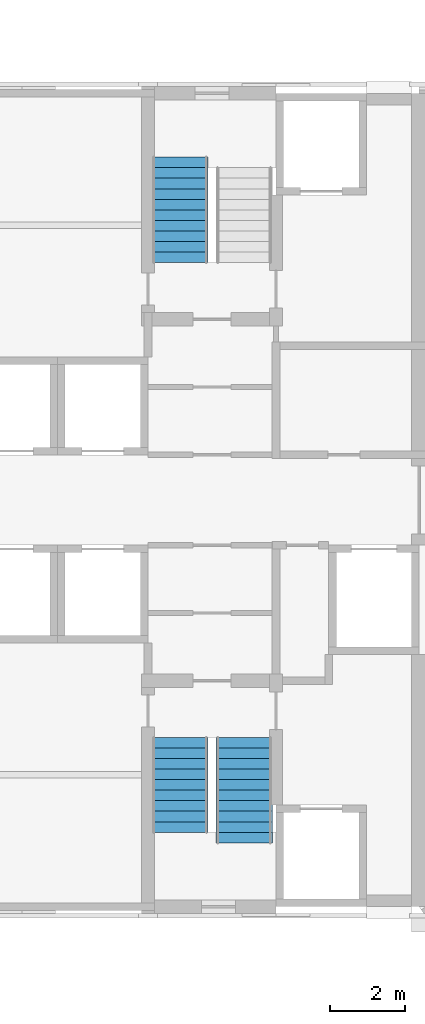
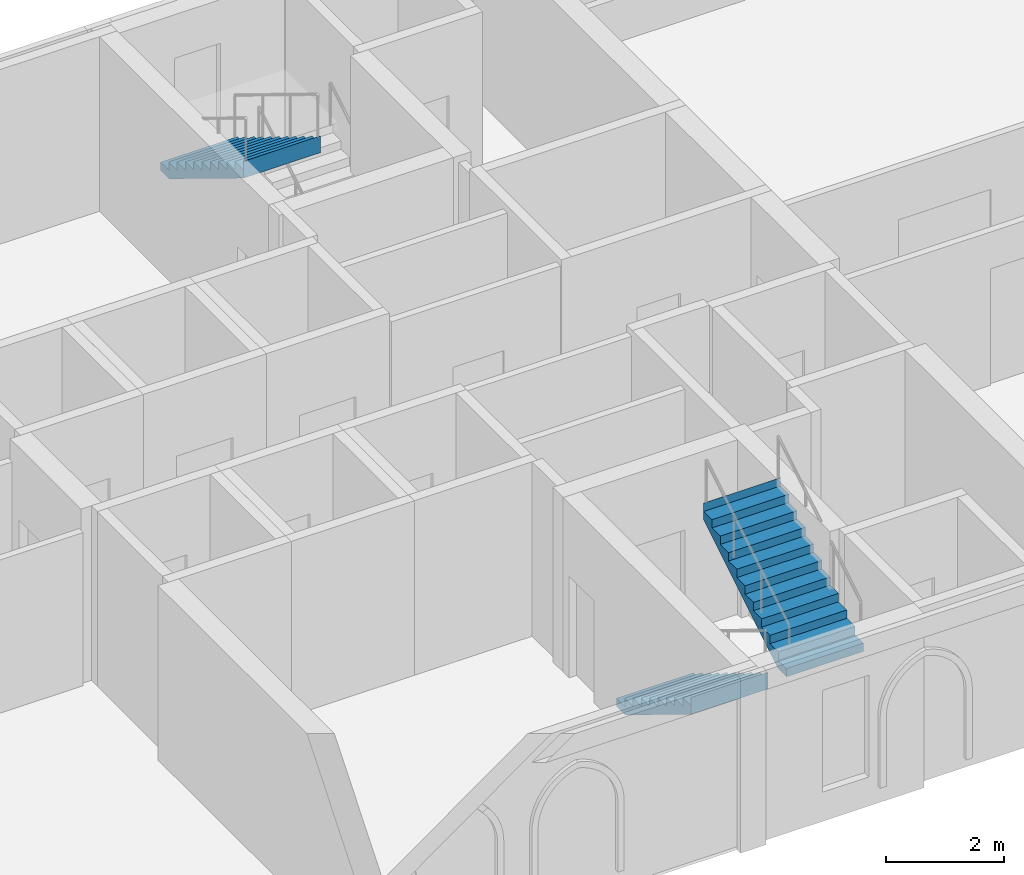
# One storey, part 49 of 110: 3 stair flights, 2 elements without a shape of their own.
"""IFC4 building model written with IfcOpenShell, lengths in metres."""

from ifc_helpers import new_model, si_unit, direction, frame, origin, place, context, subcontext, project, spatial, polyline, outline, extrude, material, type_object, element, aggregate, save


model = new_model("IFC4")

# Units and contexts
model_context = context("Model", 3, precision=1e-05, world=origin(), true_north=direction((0.0, 1.0)))
body_context = subcontext(model_context, "Body", "Model", "MODEL_VIEW")
ifc_project = project(units=[si_unit("LENGTHUNIT", "METRE"), si_unit("AREAUNIT", "SQUARE_METRE"), si_unit("VOLUMEUNIT", "CUBIC_METRE"), si_unit("PLANEANGLEUNIT", "RADIAN"), si_unit("MASSUNIT", "GRAM", prefix="KILO")], contexts=[model_context])

# Site, building, storey
site_placement = place(None, origin())
site = spatial("IfcSite", under=ifc_project, at=site_placement, CompositionType="ELEMENT")
building_placement = place(site_placement, origin())
building = spatial("IfcBuilding", under=site, at=building_placement, Name="Kupolbacken Congress Centre", CompositionType="ELEMENT")
storey_placement = place(building_placement, frame((0.0, 0.0, 18.0)))
storey = spatial("IfcBuildingStorey", under=building, at=storey_placement, Name="L05", CompositionType="ELEMENT", Elevation=18.0)

# Stair, stair flights
ifc_material_1 = material(Name="Steel S355", Category="steel")
stair_type = type_object("IfcStairType", Name="ST2 stair 1500", PredefinedType="TWO_STRAIGHT_RUN_STAIR", material=ifc_material_1)
stair_1_placement = place(storey_placement, origin())
stair_1 = element("IfcStair", 1, at=stair_1_placement, inside=storey, type_object=stair_type, Name="C/stair/TS1/L05", PredefinedType="NOTDEFINED")
ifc_material_2 = material(Name="Steel S355", Category="steel")
stair_flight_type_1 = type_object("IfcStairFlightType", Name="FL3 stair flight 1500 x 10 risers", PredefinedType="STRAIGHT", material=ifc_material_2)
stair_flight_1_placement = place(storey_placement, frame((101.64990234375, 126.89501953125, 0.0), z_axis=(0.0, 0.0, 1.0), x_axis=(0.0, -1.0, 0.0)))
stair_flight_1 = element("IfcStairFlight", 2, at=stair_flight_1_placement, type_object=stair_flight_type_1, Name="TS1 flight 1", NumberOfRisers=10, NumberOfTreads=9, PredefinedType="STRAIGHT", RiserHeight=0.171428571, TreadLength=0.28, context=body_context, shape_type="SweptSolid", body=[
    extrude(outline(polyline([(0.0, 0.0), (0.0, 0.0009765625), (0.0, 0.002197265625), (0.0, 0.003173828125), (0.0, 0.004150390625), (0.0, 0.00537109375), (0.0, 0.00634765625), (0.0, 0.007568359375), (0.0, 0.008544921875), (0.0, 0.009521484375), (0.0, 0.0107421875), (0.0, 0.01171875), (0.0, 0.0126953125), (0.0, 0.013916015625), (0.0, 0.014892578125), (0.0, 0.015869140625), (0.0, 0.01708984375), (0.0, 0.01806640625), (0.0, 0.019287109375), (0.0, 0.020263671875), (0.0, 0.021240234375), (0.0, 0.0224609375), (0.0, 0.0234375), (0.0, 0.0244140625), (0.0, 0.025634765625), (0.0, 0.026611328125), (0.0, 0.027587890625), (0.0, 0.02880859375), (0.0, 0.02978515625), (0.0, 0.03076171875), (0.0, 0.031982421875), (0.0, 0.032958984375), (0.0, 0.0341796875), (0.0, 0.03515625), (0.0, 0.0361328125), (0.0, 0.037353515625), (0.0, 0.038330078125), (0.0, 0.039306640625), (0.0, 0.04052734375), (0.0, 0.04150390625), (0.0, 0.04248046875), (0.0, 0.043701171875), (0.0, 0.044677734375), (0.0, 0.0458984375), (0.0, 0.046875), (0.0, 0.0478515625), (0.0, 0.049072265625), (0.0, 0.050048828125), (0.0, 0.051025390625), (0.0, 0.05224609375), (0.0, 0.05322265625), (0.0, 0.05419921875), (0.0, 0.055419921875), (0.0, 0.056396484375), (0.0, 0.0576171875), (0.0, 0.05859375), (0.0, 0.0595703125), (0.0, 0.060791015625), (0.0, 0.061767578125), (0.0, 0.062744140625), (0.0, 0.06396484375), (0.0, 0.06494140625), (0.0, 0.06591796875), (0.0, 0.067138671875), (0.0, 0.068115234375), (0.0, 0.069091796875), (0.0, 0.0703125), (0.0, 0.0712890625), (0.0, 0.072509765625), (0.0, 0.073486328125), (0.0, 0.074462890625), (0.0, 0.07568359375), (0.0, 0.07666015625), (0.0, 0.07763671875), (0.0, 0.078857421875), (0.0, 0.079833984375), (0.0, 0.080810546875), (0.0, 0.08203125), (0.0, 0.0830078125), (0.0, 0.084228515625), (0.0, 0.085205078125), (0.0, 0.086181640625), (0.0, 0.08740234375), (0.0, 0.08837890625), (0.0, 0.08935546875), (0.0, 0.090576171875), (0.0, 0.091552734375), (0.0, 0.092529296875), (0.0, 0.09375), (0.0, 0.0947265625), (0.0, 0.095947265625), (0.0, 0.096923828125), (0.0, 0.097900390625), (0.0, 0.09912109375), (0.0, 0.10009765625), (0.0, 0.10107421875), (0.0, 0.102294921875), (0.0, 0.103271484375), (0.0, 0.104248046875), (0.0, 0.10546875), (0.0, 0.1064453125), (0.0, 0.107421875), (0.0, 0.108642578125), (0.0, 0.109619140625), (0.0, 0.11083984375), (0.0, 0.11181640625), (0.0, 0.11279296875), (0.0, 0.114013671875), (0.0, 0.114990234375), (0.0, 0.115966796875), (0.0, 0.1171875), (0.0, 0.1181640625), (0.0, 0.119140625), (0.0, 0.120361328125), (0.0, 0.121337890625), (0.0, 0.12255859375), (0.0, 0.12353515625), (0.0, 0.12451171875), (0.0, 0.125732421875), (0.0, 0.126708984375), (0.0, 0.127685546875), (0.0, 0.12890625), (0.0, 0.1298828125), (0.0, 0.130859375), (0.0, 0.132080078125), (0.0, 0.133056640625), (0.0, 0.13427734375), (0.0, 0.13525390625), (0.0, 0.13623046875), (0.0, 0.137451171875), (0.0, 0.138427734375), (0.0, 0.139404296875), (0.0, 0.140625), (0.0, 0.1416015625), (0.0, 0.142578125), (0.0, 0.143798828125), (0.0, 0.144775390625), (0.0, 0.145751953125), (0.0, 0.14697265625), (0.0, 0.14794921875), (0.0, 0.149169921875), (0.0, 0.150146484375), (0.0, 0.151123046875), (0.0, 0.15234375), (0.0, 0.1533203125), (0.0, 0.154296875), (0.0, 0.155517578125), (0.0, 0.156494140625), (0.0, 0.157470703125), (0.0, 0.15869140625), (0.0, 0.15966796875), (0.0, 0.160888671875), (0.0, 0.161865234375), (0.0, 0.162841796875), (0.0, 0.1640625), (0.0, 0.1650390625), (0.0, 0.166015625), (0.0, 0.167236328125), (0.0, 0.168212890625), (0.0, 0.169189453125), (0.0, 0.17041015625), (0.0, 0.17138671875), (0.280029296875, 0.17138671875), (0.280029296875, 0.3427734375), (0.56005859375, 0.3427734375), (0.56005859375, 0.514404296875), (0.840087890625, 0.514404296875), (0.840087890625, 0.685791015625), (1.1201171875, 0.685791015625), (1.1201171875, 0.857177734375), (1.39990234375, 0.857177734375), (1.39990234375, 1.028564453125), (1.679931640625, 1.028564453125), (1.679931640625, 1.199951171875), (1.9599609375, 1.199951171875), (1.9599609375, 1.371337890625), (2.239990234375, 1.371337890625), (2.239990234375, 1.54296875), (2.52001953125, 1.54296875), (2.52001953125, 1.71435546875), (2.52197265625, 1.71435546875), (2.52197265625, 1.712158203125), (2.52197265625, 1.7099609375), (2.52197265625, 1.707763671875), (2.52197265625, 1.70556640625), (2.52197265625, 1.70361328125), (2.52197265625, 1.701416015625), (2.52197265625, 1.69921875), (2.52197265625, 1.697021484375), (2.52197265625, 1.69482421875), (2.52197265625, 1.692626953125), (2.52197265625, 1.690673828125), (2.52197265625, 1.6884765625), (2.52197265625, 1.686279296875), (2.52197265625, 1.68408203125), (2.52197265625, 1.681884765625), (2.52197265625, 1.6796875), (2.52197265625, 1.677734375), (2.52197265625, 1.675537109375), (2.52197265625, 1.67333984375), (2.52197265625, 1.671142578125), (2.52197265625, 1.6689453125), (2.52197265625, 1.666748046875), (2.52197265625, 1.664794921875), (2.52197265625, 1.66259765625), (2.52197265625, 1.660400390625), (2.52197265625, 1.658203125), (2.52197265625, 1.656005859375), (2.52197265625, 1.65380859375), (2.52197265625, 1.65185546875), (2.52197265625, 1.649658203125), (2.52197265625, 1.6474609375), (2.52197265625, 1.645263671875), (2.52197265625, 1.64306640625), (2.52197265625, 1.640869140625), (2.52197265625, 1.638916015625), (2.52197265625, 1.63671875), (2.52197265625, 1.634521484375), (2.52197265625, 1.63232421875), (2.52197265625, 1.630126953125), (2.52197265625, 1.6279296875), (2.52197265625, 1.6259765625), (2.52197265625, 1.623779296875), (2.52197265625, 1.62158203125), (2.52197265625, 1.619384765625), (2.52197265625, 1.6171875), (2.52197265625, 1.614990234375), (2.52197265625, 1.613037109375), (2.52197265625, 1.61083984375), (2.52197265625, 1.608642578125), (2.52197265625, 1.6064453125), (2.52197265625, 1.604248046875), (2.52197265625, 1.60205078125), (2.52197265625, 1.60009765625), (2.52197265625, 1.597900390625), (2.52197265625, 1.595703125), (2.52197265625, 1.593505859375), (2.52197265625, 1.59130859375), (2.52197265625, 1.589111328125), (2.52197265625, 1.587158203125), (2.52197265625, 1.5849609375), (2.52197265625, 1.582763671875), (2.52197265625, 1.58056640625), (2.52197265625, 1.578369140625), (2.52197265625, 1.576171875), (2.52197265625, 1.57421875), (2.52197265625, 1.572021484375), (2.52197265625, 1.56982421875), (2.52197265625, 1.567626953125), (2.52197265625, 1.5654296875), (2.52197265625, 1.563232421875), (2.52197265625, 1.561279296875), (2.52197265625, 1.55908203125), (2.52197265625, 1.556884765625), (2.52197265625, 1.5546875), (2.52197265625, 1.552490234375), (2.52197265625, 1.55029296875), (2.52197265625, 1.54833984375), (2.52197265625, 1.546142578125), (2.52197265625, 1.5439453125), (2.52197265625, 1.541748046875), (2.52197265625, 1.53955078125), (2.52197265625, 1.537353515625), (2.52197265625, 1.535400390625), (2.52197265625, 1.533203125), (2.52197265625, 1.531005859375), (2.52197265625, 1.52880859375), (2.52197265625, 1.526611328125), (2.52197265625, 1.5244140625), (2.52197265625, 1.5224609375), (2.52197265625, 1.520263671875), (2.52197265625, 1.51806640625), (2.52197265625, 1.515869140625), (2.52197265625, 1.513671875), (2.52197265625, 1.511474609375), (2.52197265625, 1.509521484375), (2.52197265625, 1.50732421875), (2.52197265625, 1.505126953125), (2.52197265625, 1.5029296875), (2.52197265625, 1.500732421875), (2.52197265625, 1.49853515625), (2.52197265625, 1.49658203125), (2.52197265625, 1.494384765625), (2.52197265625, 1.4921875), (2.52197265625, 1.489990234375), (2.52197265625, 1.48779296875), (2.52197265625, 1.485595703125), (2.52197265625, 1.483642578125), (2.52197265625, 1.4814453125), (2.52197265625, 1.479248046875), (2.52197265625, 1.47705078125), (2.52197265625, 1.474853515625), (2.52197265625, 1.47265625), (2.52197265625, 1.470703125), (2.52197265625, 1.468505859375), (2.52197265625, 1.46630859375), (2.52197265625, 1.464111328125), (2.52197265625, 1.4619140625), (2.52197265625, 1.459716796875), (2.52197265625, 1.457763671875), (2.52197265625, 1.45556640625), (2.52197265625, 1.453369140625), (2.52197265625, 1.451171875), (2.52197265625, 1.448974609375), (2.52197265625, 1.44677734375), (2.52197265625, 1.44482421875), (2.52197265625, 1.442626953125), (2.52197265625, 1.4404296875), (2.52197265625, 1.438232421875), (2.52197265625, 1.43603515625), (2.52197265625, 1.433837890625), (2.52197265625, 1.431884765625), (2.52197265625, 1.4296875), (2.52197265625, 1.427490234375), (2.52197265625, 1.42529296875), (2.52197265625, 1.423095703125), (2.52197265625, 1.4208984375), (2.52197265625, 1.4189453125), (2.52197265625, 1.416748046875), (2.52197265625, 1.41455078125), (2.52197265625, 1.412353515625), (2.52197265625, 1.41015625), (2.52197265625, 1.407958984375), (2.52197265625, 1.406005859375), (2.52197265625, 1.40380859375), (2.52197265625, 1.401611328125), (2.52197265625, 1.3994140625), (2.52197265625, 1.397216796875), (2.52197265625, 1.39501953125), (2.52197265625, 1.39306640625), (2.52197265625, 1.390869140625), (2.52197265625, 1.388671875), (2.52197265625, 1.386474609375), (2.52197265625, 1.38427734375), (2.52197265625, 1.382080078125), (2.52197265625, 1.380126953125), (2.52197265625, 1.3779296875), (2.52197265625, 1.375732421875), (2.52197265625, 1.37353515625), (2.52197265625, 1.371337890625), (2.52197265625, 1.369140625), (2.52197265625, 1.3671875), (0.2890625, 0.0), (0.0, 0.0)])), frame((0.0, 0.75, 0.0), z_axis=(0.0, -1.0, 0.0), x_axis=(1.0, 0.0, 0.0)), (0.0, 0.0, 1.0), 1.5),
])
ifc_material_3 = material(Name="Steel S355", Category="steel")
stair_flight_type_2 = type_object("IfcStairFlightType", Name="FL4 stair flight 1500 x 11 risers", PredefinedType="STRAIGHT", material=ifc_material_3)
stair_flight_2_placement = place(storey_placement, frame((103.35009765625, 124.094970703125, 1.71435546875), z_axis=(0.0, 0.0, 1.0), x_axis=(0.0, 1.0, 0.0)))
stair_flight_2 = element("IfcStairFlight", 3, at=stair_flight_2_placement, type_object=stair_flight_type_2, Name="TS1 flight 2", NumberOfRisers=11, NumberOfTreads=10, PredefinedType="STRAIGHT", RiserHeight=0.171428571, TreadLength=0.28, context=body_context, shape_type="SweptSolid", body=[
    extrude(outline(polyline([(0.0, 0.0), (0.0, 0.0009765625), (0.0, 0.002197265625), (0.0, 0.003173828125), (0.0, 0.004150390625), (0.0, 0.00537109375), (0.0, 0.00634765625), (0.0, 0.007568359375), (0.0, 0.008544921875), (0.0, 0.009521484375), (0.0, 0.0107421875), (0.0, 0.01171875), (0.0, 0.0126953125), (0.0, 0.013916015625), (0.0, 0.014892578125), (0.0, 0.015869140625), (0.0, 0.01708984375), (0.0, 0.01806640625), (0.0, 0.019287109375), (0.0, 0.020263671875), (0.0, 0.021240234375), (0.0, 0.0224609375), (0.0, 0.0234375), (0.0, 0.0244140625), (0.0, 0.025634765625), (0.0, 0.026611328125), (0.0, 0.027587890625), (0.0, 0.02880859375), (0.0, 0.02978515625), (0.0, 0.03076171875), (0.0, 0.031982421875), (0.0, 0.032958984375), (0.0, 0.0341796875), (0.0, 0.03515625), (0.0, 0.0361328125), (0.0, 0.037353515625), (0.0, 0.038330078125), (0.0, 0.039306640625), (0.0, 0.04052734375), (0.0, 0.04150390625), (0.0, 0.04248046875), (0.0, 0.043701171875), (0.0, 0.044677734375), (0.0, 0.0458984375), (0.0, 0.046875), (0.0, 0.0478515625), (0.0, 0.049072265625), (0.0, 0.050048828125), (0.0, 0.051025390625), (0.0, 0.05224609375), (0.0, 0.05322265625), (0.0, 0.05419921875), (0.0, 0.055419921875), (0.0, 0.056396484375), (0.0, 0.0576171875), (0.0, 0.05859375), (0.0, 0.0595703125), (0.0, 0.060791015625), (0.0, 0.061767578125), (0.0, 0.062744140625), (0.0, 0.06396484375), (0.0, 0.06494140625), (0.0, 0.06591796875), (0.0, 0.067138671875), (0.0, 0.068115234375), (0.0, 0.069091796875), (0.0, 0.0703125), (0.0, 0.0712890625), (0.0, 0.072509765625), (0.0, 0.073486328125), (0.0, 0.074462890625), (0.0, 0.07568359375), (0.0, 0.07666015625), (0.0, 0.07763671875), (0.0, 0.078857421875), (0.0, 0.079833984375), (0.0, 0.080810546875), (0.0, 0.08203125), (0.0, 0.0830078125), (0.0, 0.084228515625), (0.0, 0.085205078125), (0.0, 0.086181640625), (0.0, 0.08740234375), (0.0, 0.08837890625), (0.0, 0.08935546875), (0.0, 0.090576171875), (0.0, 0.091552734375), (0.0, 0.092529296875), (0.0, 0.09375), (0.0, 0.0947265625), (0.0, 0.095947265625), (0.0, 0.096923828125), (0.0, 0.097900390625), (0.0, 0.09912109375), (0.0, 0.10009765625), (0.0, 0.10107421875), (0.0, 0.102294921875), (0.0, 0.103271484375), (0.0, 0.104248046875), (0.0, 0.10546875), (0.0, 0.1064453125), (0.0, 0.107421875), (0.0, 0.108642578125), (0.0, 0.109619140625), (0.0, 0.11083984375), (0.0, 0.11181640625), (0.0, 0.11279296875), (0.0, 0.114013671875), (0.0, 0.114990234375), (0.0, 0.115966796875), (0.0, 0.1171875), (0.0, 0.1181640625), (0.0, 0.119140625), (0.0, 0.120361328125), (0.0, 0.121337890625), (0.0, 0.12255859375), (0.0, 0.12353515625), (0.0, 0.12451171875), (0.0, 0.125732421875), (0.0, 0.126708984375), (0.0, 0.127685546875), (0.0, 0.12890625), (0.0, 0.1298828125), (0.0, 0.130859375), (0.0, 0.132080078125), (0.0, 0.133056640625), (0.0, 0.13427734375), (0.0, 0.13525390625), (0.0, 0.13623046875), (0.0, 0.137451171875), (0.0, 0.138427734375), (0.0, 0.139404296875), (0.0, 0.140625), (0.0, 0.1416015625), (0.0, 0.142578125), (0.0, 0.143798828125), (0.0, 0.144775390625), (0.0, 0.145751953125), (0.0, 0.14697265625), (0.0, 0.14794921875), (0.0, 0.149169921875), (0.0, 0.150146484375), (0.0, 0.151123046875), (0.0, 0.15234375), (0.0, 0.1533203125), (0.0, 0.154296875), (0.0, 0.155517578125), (0.0, 0.156494140625), (0.0, 0.157470703125), (0.0, 0.15869140625), (0.0, 0.15966796875), (0.0, 0.160888671875), (0.0, 0.161865234375), (0.0, 0.162841796875), (0.0, 0.1640625), (0.0, 0.1650390625), (0.0, 0.166015625), (0.0, 0.167236328125), (0.0, 0.168212890625), (0.0, 0.169189453125), (0.0, 0.17041015625), (0.0, 0.17138671875), (0.280029296875, 0.17138671875), (0.280029296875, 0.3427734375), (0.56005859375, 0.3427734375), (0.56005859375, 0.514404296875), (0.840087890625, 0.514404296875), (0.840087890625, 0.685791015625), (1.1201171875, 0.685791015625), (1.1201171875, 0.857177734375), (1.39990234375, 0.857177734375), (1.39990234375, 1.028564453125), (1.679931640625, 1.028564453125), (1.679931640625, 1.199951171875), (1.9599609375, 1.199951171875), (1.9599609375, 1.371337890625), (2.239990234375, 1.371337890625), (2.239990234375, 1.54296875), (2.52001953125, 1.54296875), (2.52001953125, 1.71435546875), (2.800048828125, 1.71435546875), (2.800048828125, 1.8857421875), (2.802001953125, 1.8857421875), (2.802001953125, 1.883544921875), (2.802001953125, 1.88134765625), (2.802001953125, 1.879150390625), (2.802001953125, 1.877197265625), (2.802001953125, 1.875), (2.802001953125, 1.872802734375), (2.802001953125, 1.87060546875), (2.802001953125, 1.868408203125), (2.802001953125, 1.8662109375), (2.802001953125, 1.8642578125), (2.802001953125, 1.862060546875), (2.802001953125, 1.85986328125), (2.802001953125, 1.857666015625), (2.802001953125, 1.85546875), (2.802001953125, 1.853271484375), (2.802001953125, 1.851318359375), (2.802001953125, 1.84912109375), (2.802001953125, 1.846923828125), (2.802001953125, 1.8447265625), (2.802001953125, 1.842529296875), (2.802001953125, 1.84033203125), (2.802001953125, 1.83837890625), (2.802001953125, 1.836181640625), (2.802001953125, 1.833984375), (2.802001953125, 1.831787109375), (2.802001953125, 1.82958984375), (2.802001953125, 1.827392578125), (2.802001953125, 1.825439453125), (2.802001953125, 1.8232421875), (2.802001953125, 1.821044921875), (2.802001953125, 1.81884765625), (2.802001953125, 1.816650390625), (2.802001953125, 1.814453125), (2.802001953125, 1.8125), (2.802001953125, 1.810302734375), (2.802001953125, 1.80810546875), (2.802001953125, 1.805908203125), (2.802001953125, 1.8037109375), (2.802001953125, 1.801513671875), (2.802001953125, 1.799560546875), (2.802001953125, 1.79736328125), (2.802001953125, 1.795166015625), (2.802001953125, 1.79296875), (2.802001953125, 1.790771484375), (2.802001953125, 1.78857421875), (2.802001953125, 1.78662109375), (2.802001953125, 1.784423828125), (2.802001953125, 1.7822265625), (2.802001953125, 1.780029296875), (2.802001953125, 1.77783203125), (2.802001953125, 1.775634765625), (2.802001953125, 1.773681640625), (2.802001953125, 1.771484375), (2.802001953125, 1.769287109375), (2.802001953125, 1.76708984375), (2.802001953125, 1.764892578125), (2.802001953125, 1.7626953125), (2.802001953125, 1.7607421875), (2.802001953125, 1.758544921875), (2.802001953125, 1.75634765625), (2.802001953125, 1.754150390625), (2.802001953125, 1.751953125), (2.802001953125, 1.749755859375), (2.802001953125, 1.747802734375), (2.802001953125, 1.74560546875), (2.802001953125, 1.743408203125), (2.802001953125, 1.7412109375), (2.802001953125, 1.739013671875), (2.802001953125, 1.73681640625), (2.802001953125, 1.73486328125), (2.802001953125, 1.732666015625), (2.802001953125, 1.73046875), (2.802001953125, 1.728271484375), (2.802001953125, 1.72607421875), (2.802001953125, 1.723876953125), (2.802001953125, 1.721923828125), (2.802001953125, 1.7197265625), (2.802001953125, 1.717529296875), (2.802001953125, 1.71533203125), (2.802001953125, 1.713134765625), (2.802001953125, 1.7109375), (2.802001953125, 1.708984375), (2.802001953125, 1.706787109375), (2.802001953125, 1.70458984375), (2.802001953125, 1.702392578125), (2.802001953125, 1.7001953125), (2.802001953125, 1.697998046875), (2.802001953125, 1.696044921875), (2.802001953125, 1.69384765625), (2.802001953125, 1.691650390625), (2.802001953125, 1.689453125), (2.802001953125, 1.687255859375), (2.802001953125, 1.68505859375), (2.802001953125, 1.68310546875), (2.802001953125, 1.680908203125), (2.802001953125, 1.6787109375), (2.802001953125, 1.676513671875), (2.802001953125, 1.67431640625), (2.802001953125, 1.672119140625), (2.802001953125, 1.670166015625), (2.802001953125, 1.66796875), (2.802001953125, 1.665771484375), (2.802001953125, 1.66357421875), (2.802001953125, 1.661376953125), (2.802001953125, 1.6591796875), (2.802001953125, 1.6572265625), (2.802001953125, 1.655029296875), (2.802001953125, 1.65283203125), (2.802001953125, 1.650634765625), (2.802001953125, 1.6484375), (2.802001953125, 1.646240234375), (2.802001953125, 1.644287109375), (2.802001953125, 1.64208984375), (2.802001953125, 1.639892578125), (2.802001953125, 1.6376953125), (2.802001953125, 1.635498046875), (2.802001953125, 1.63330078125), (2.802001953125, 1.63134765625), (2.802001953125, 1.629150390625), (2.802001953125, 1.626953125), (2.802001953125, 1.624755859375), (2.802001953125, 1.62255859375), (2.802001953125, 1.620361328125), (2.802001953125, 1.618408203125), (2.802001953125, 1.6162109375), (2.802001953125, 1.614013671875), (2.802001953125, 1.61181640625), (2.802001953125, 1.609619140625), (2.802001953125, 1.607421875), (2.802001953125, 1.60546875), (2.802001953125, 1.603271484375), (2.802001953125, 1.60107421875), (2.802001953125, 1.598876953125), (2.802001953125, 1.5966796875), (2.802001953125, 1.594482421875), (2.802001953125, 1.592529296875), (2.802001953125, 1.59033203125), (2.802001953125, 1.588134765625), (2.802001953125, 1.5859375), (2.802001953125, 1.583740234375), (2.802001953125, 1.58154296875), (2.802001953125, 1.57958984375), (2.802001953125, 1.577392578125), (2.802001953125, 1.5751953125), (2.802001953125, 1.572998046875), (2.802001953125, 1.57080078125), (2.802001953125, 1.568603515625), (2.802001953125, 1.566650390625), (2.802001953125, 1.564453125), (2.802001953125, 1.562255859375), (2.802001953125, 1.56005859375), (2.802001953125, 1.557861328125), (2.802001953125, 1.5556640625), (2.802001953125, 1.5537109375), (2.802001953125, 1.551513671875), (2.802001953125, 1.54931640625), (2.802001953125, 1.547119140625), (2.802001953125, 1.544921875), (2.802001953125, 1.542724609375), (2.802001953125, 1.540771484375), (2.802001953125, 1.53857421875), (0.2890625, 0.0), (0.0, 0.0)])), frame((0.0, 0.75, 0.0), z_axis=(0.0, -1.0, 0.0), x_axis=(1.0, 0.0, 0.0)), (0.0, 0.0, 1.0), 1.5),
])
aggregate(stair_1, [stair_flight_1, stair_flight_2])

# Stair, stair flight
stair_2_placement = place(storey_placement, origin())
stair_2 = element("IfcStair", 4, at=stair_2_placement, inside=storey, type_object=stair_type, Name="C/stair/TS2/L05", PredefinedType="NOTDEFINED")
stair_flight_3_placement = place(storey_placement, frame((101.64990234375, 142.304931640625, 1.71435546875), z_axis=(0.0, 0.0, 1.0), x_axis=(0.0, -1.0, 0.0)))
stair_flight_3 = element("IfcStairFlight", 5, at=stair_flight_3_placement, type_object=stair_flight_type_2, Name="TS2 flight 2", NumberOfRisers=11, NumberOfTreads=10, PredefinedType="STRAIGHT", RiserHeight=0.171428571, TreadLength=0.28, context=body_context, shape_type="SweptSolid", body=[
    extrude(outline(polyline([(0.0, 0.0), (0.0, 0.0009765625), (0.0, 0.002197265625), (0.0, 0.003173828125), (0.0, 0.004150390625), (0.0, 0.00537109375), (0.0, 0.00634765625), (0.0, 0.007568359375), (0.0, 0.008544921875), (0.0, 0.009521484375), (0.0, 0.0107421875), (0.0, 0.01171875), (0.0, 0.0126953125), (0.0, 0.013916015625), (0.0, 0.014892578125), (0.0, 0.015869140625), (0.0, 0.01708984375), (0.0, 0.01806640625), (0.0, 0.019287109375), (0.0, 0.020263671875), (0.0, 0.021240234375), (0.0, 0.0224609375), (0.0, 0.0234375), (0.0, 0.0244140625), (0.0, 0.025634765625), (0.0, 0.026611328125), (0.0, 0.027587890625), (0.0, 0.02880859375), (0.0, 0.02978515625), (0.0, 0.03076171875), (0.0, 0.031982421875), (0.0, 0.032958984375), (0.0, 0.0341796875), (0.0, 0.03515625), (0.0, 0.0361328125), (0.0, 0.037353515625), (0.0, 0.038330078125), (0.0, 0.039306640625), (0.0, 0.04052734375), (0.0, 0.04150390625), (0.0, 0.04248046875), (0.0, 0.043701171875), (0.0, 0.044677734375), (0.0, 0.0458984375), (0.0, 0.046875), (0.0, 0.0478515625), (0.0, 0.049072265625), (0.0, 0.050048828125), (0.0, 0.051025390625), (0.0, 0.05224609375), (0.0, 0.05322265625), (0.0, 0.05419921875), (0.0, 0.055419921875), (0.0, 0.056396484375), (0.0, 0.0576171875), (0.0, 0.05859375), (0.0, 0.0595703125), (0.0, 0.060791015625), (0.0, 0.061767578125), (0.0, 0.062744140625), (0.0, 0.06396484375), (0.0, 0.06494140625), (0.0, 0.06591796875), (0.0, 0.067138671875), (0.0, 0.068115234375), (0.0, 0.069091796875), (0.0, 0.0703125), (0.0, 0.0712890625), (0.0, 0.072509765625), (0.0, 0.073486328125), (0.0, 0.074462890625), (0.0, 0.07568359375), (0.0, 0.07666015625), (0.0, 0.07763671875), (0.0, 0.078857421875), (0.0, 0.079833984375), (0.0, 0.080810546875), (0.0, 0.08203125), (0.0, 0.0830078125), (0.0, 0.084228515625), (0.0, 0.085205078125), (0.0, 0.086181640625), (0.0, 0.08740234375), (0.0, 0.08837890625), (0.0, 0.08935546875), (0.0, 0.090576171875), (0.0, 0.091552734375), (0.0, 0.092529296875), (0.0, 0.09375), (0.0, 0.0947265625), (0.0, 0.095947265625), (0.0, 0.096923828125), (0.0, 0.097900390625), (0.0, 0.09912109375), (0.0, 0.10009765625), (0.0, 0.10107421875), (0.0, 0.102294921875), (0.0, 0.103271484375), (0.0, 0.104248046875), (0.0, 0.10546875), (0.0, 0.1064453125), (0.0, 0.107421875), (0.0, 0.108642578125), (0.0, 0.109619140625), (0.0, 0.11083984375), (0.0, 0.11181640625), (0.0, 0.11279296875), (0.0, 0.114013671875), (0.0, 0.114990234375), (0.0, 0.115966796875), (0.0, 0.1171875), (0.0, 0.1181640625), (0.0, 0.119140625), (0.0, 0.120361328125), (0.0, 0.121337890625), (0.0, 0.12255859375), (0.0, 0.12353515625), (0.0, 0.12451171875), (0.0, 0.125732421875), (0.0, 0.126708984375), (0.0, 0.127685546875), (0.0, 0.12890625), (0.0, 0.1298828125), (0.0, 0.130859375), (0.0, 0.132080078125), (0.0, 0.133056640625), (0.0, 0.13427734375), (0.0, 0.13525390625), (0.0, 0.13623046875), (0.0, 0.137451171875), (0.0, 0.138427734375), (0.0, 0.139404296875), (0.0, 0.140625), (0.0, 0.1416015625), (0.0, 0.142578125), (0.0, 0.143798828125), (0.0, 0.144775390625), (0.0, 0.145751953125), (0.0, 0.14697265625), (0.0, 0.14794921875), (0.0, 0.149169921875), (0.0, 0.150146484375), (0.0, 0.151123046875), (0.0, 0.15234375), (0.0, 0.1533203125), (0.0, 0.154296875), (0.0, 0.155517578125), (0.0, 0.156494140625), (0.0, 0.157470703125), (0.0, 0.15869140625), (0.0, 0.15966796875), (0.0, 0.160888671875), (0.0, 0.161865234375), (0.0, 0.162841796875), (0.0, 0.1640625), (0.0, 0.1650390625), (0.0, 0.166015625), (0.0, 0.167236328125), (0.0, 0.168212890625), (0.0, 0.169189453125), (0.0, 0.17041015625), (0.0, 0.17138671875), (0.280029296875, 0.17138671875), (0.280029296875, 0.3427734375), (0.56005859375, 0.3427734375), (0.56005859375, 0.514404296875), (0.840087890625, 0.514404296875), (0.840087890625, 0.685791015625), (1.1201171875, 0.685791015625), (1.1201171875, 0.857177734375), (1.39990234375, 0.857177734375), (1.39990234375, 1.028564453125), (1.679931640625, 1.028564453125), (1.679931640625, 1.199951171875), (1.9599609375, 1.199951171875), (1.9599609375, 1.371337890625), (2.239990234375, 1.371337890625), (2.239990234375, 1.54296875), (2.52001953125, 1.54296875), (2.52001953125, 1.71435546875), (2.800048828125, 1.71435546875), (2.800048828125, 1.8857421875), (2.802001953125, 1.8857421875), (2.802001953125, 1.883544921875), (2.802001953125, 1.88134765625), (2.802001953125, 1.879150390625), (2.802001953125, 1.877197265625), (2.802001953125, 1.875), (2.802001953125, 1.872802734375), (2.802001953125, 1.87060546875), (2.802001953125, 1.868408203125), (2.802001953125, 1.8662109375), (2.802001953125, 1.8642578125), (2.802001953125, 1.862060546875), (2.802001953125, 1.85986328125), (2.802001953125, 1.857666015625), (2.802001953125, 1.85546875), (2.802001953125, 1.853271484375), (2.802001953125, 1.851318359375), (2.802001953125, 1.84912109375), (2.802001953125, 1.846923828125), (2.802001953125, 1.8447265625), (2.802001953125, 1.842529296875), (2.802001953125, 1.84033203125), (2.802001953125, 1.83837890625), (2.802001953125, 1.836181640625), (2.802001953125, 1.833984375), (2.802001953125, 1.831787109375), (2.802001953125, 1.82958984375), (2.802001953125, 1.827392578125), (2.802001953125, 1.825439453125), (2.802001953125, 1.8232421875), (2.802001953125, 1.821044921875), (2.802001953125, 1.81884765625), (2.802001953125, 1.816650390625), (2.802001953125, 1.814453125), (2.802001953125, 1.8125), (2.802001953125, 1.810302734375), (2.802001953125, 1.80810546875), (2.802001953125, 1.805908203125), (2.802001953125, 1.8037109375), (2.802001953125, 1.801513671875), (2.802001953125, 1.799560546875), (2.802001953125, 1.79736328125), (2.802001953125, 1.795166015625), (2.802001953125, 1.79296875), (2.802001953125, 1.790771484375), (2.802001953125, 1.78857421875), (2.802001953125, 1.78662109375), (2.802001953125, 1.784423828125), (2.802001953125, 1.7822265625), (2.802001953125, 1.780029296875), (2.802001953125, 1.77783203125), (2.802001953125, 1.775634765625), (2.802001953125, 1.773681640625), (2.802001953125, 1.771484375), (2.802001953125, 1.769287109375), (2.802001953125, 1.76708984375), (2.802001953125, 1.764892578125), (2.802001953125, 1.7626953125), (2.802001953125, 1.7607421875), (2.802001953125, 1.758544921875), (2.802001953125, 1.75634765625), (2.802001953125, 1.754150390625), (2.802001953125, 1.751953125), (2.802001953125, 1.749755859375), (2.802001953125, 1.747802734375), (2.802001953125, 1.74560546875), (2.802001953125, 1.743408203125), (2.802001953125, 1.7412109375), (2.802001953125, 1.739013671875), (2.802001953125, 1.73681640625), (2.802001953125, 1.73486328125), (2.802001953125, 1.732666015625), (2.802001953125, 1.73046875), (2.802001953125, 1.728271484375), (2.802001953125, 1.72607421875), (2.802001953125, 1.723876953125), (2.802001953125, 1.721923828125), (2.802001953125, 1.7197265625), (2.802001953125, 1.717529296875), (2.802001953125, 1.71533203125), (2.802001953125, 1.713134765625), (2.802001953125, 1.7109375), (2.802001953125, 1.708984375), (2.802001953125, 1.706787109375), (2.802001953125, 1.70458984375), (2.802001953125, 1.702392578125), (2.802001953125, 1.7001953125), (2.802001953125, 1.697998046875), (2.802001953125, 1.696044921875), (2.802001953125, 1.69384765625), (2.802001953125, 1.691650390625), (2.802001953125, 1.689453125), (2.802001953125, 1.687255859375), (2.802001953125, 1.68505859375), (2.802001953125, 1.68310546875), (2.802001953125, 1.680908203125), (2.802001953125, 1.6787109375), (2.802001953125, 1.676513671875), (2.802001953125, 1.67431640625), (2.802001953125, 1.672119140625), (2.802001953125, 1.670166015625), (2.802001953125, 1.66796875), (2.802001953125, 1.665771484375), (2.802001953125, 1.66357421875), (2.802001953125, 1.661376953125), (2.802001953125, 1.6591796875), (2.802001953125, 1.6572265625), (2.802001953125, 1.655029296875), (2.802001953125, 1.65283203125), (2.802001953125, 1.650634765625), (2.802001953125, 1.6484375), (2.802001953125, 1.646240234375), (2.802001953125, 1.644287109375), (2.802001953125, 1.64208984375), (2.802001953125, 1.639892578125), (2.802001953125, 1.6376953125), (2.802001953125, 1.635498046875), (2.802001953125, 1.63330078125), (2.802001953125, 1.63134765625), (2.802001953125, 1.629150390625), (2.802001953125, 1.626953125), (2.802001953125, 1.624755859375), (2.802001953125, 1.62255859375), (2.802001953125, 1.620361328125), (2.802001953125, 1.618408203125), (2.802001953125, 1.6162109375), (2.802001953125, 1.614013671875), (2.802001953125, 1.61181640625), (2.802001953125, 1.609619140625), (2.802001953125, 1.607421875), (2.802001953125, 1.60546875), (2.802001953125, 1.603271484375), (2.802001953125, 1.60107421875), (2.802001953125, 1.598876953125), (2.802001953125, 1.5966796875), (2.802001953125, 1.594482421875), (2.802001953125, 1.592529296875), (2.802001953125, 1.59033203125), (2.802001953125, 1.588134765625), (2.802001953125, 1.5859375), (2.802001953125, 1.583740234375), (2.802001953125, 1.58154296875), (2.802001953125, 1.57958984375), (2.802001953125, 1.577392578125), (2.802001953125, 1.5751953125), (2.802001953125, 1.572998046875), (2.802001953125, 1.57080078125), (2.802001953125, 1.568603515625), (2.802001953125, 1.566650390625), (2.802001953125, 1.564453125), (2.802001953125, 1.562255859375), (2.802001953125, 1.56005859375), (2.802001953125, 1.557861328125), (2.802001953125, 1.5556640625), (2.802001953125, 1.5537109375), (2.802001953125, 1.551513671875), (2.802001953125, 1.54931640625), (2.802001953125, 1.547119140625), (2.802001953125, 1.544921875), (2.802001953125, 1.542724609375), (2.802001953125, 1.540771484375), (2.802001953125, 1.53857421875), (0.2890625, 0.0), (0.0, 0.0)])), frame((0.0, 0.75, 0.0), z_axis=(0.0, -1.0, 0.0), x_axis=(1.0, 0.0, 0.0)), (0.0, 0.0, 1.0), 1.5),
])
aggregate(stair_2, [stair_flight_3])

save(model, "model.ifc")
